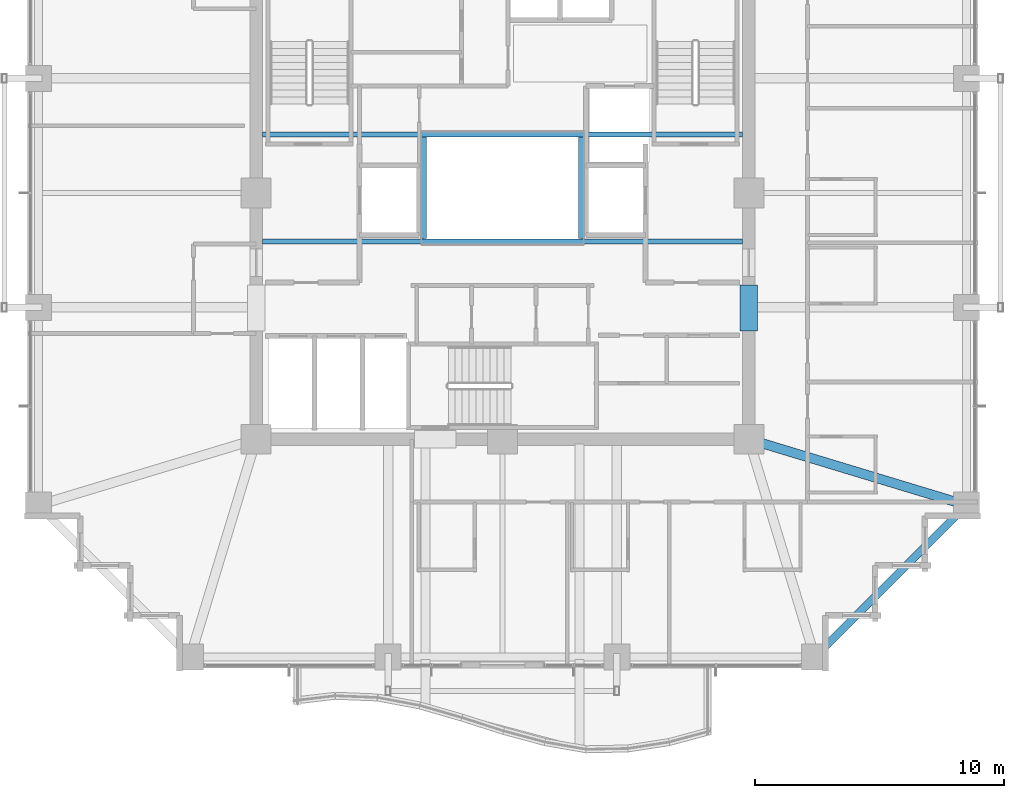
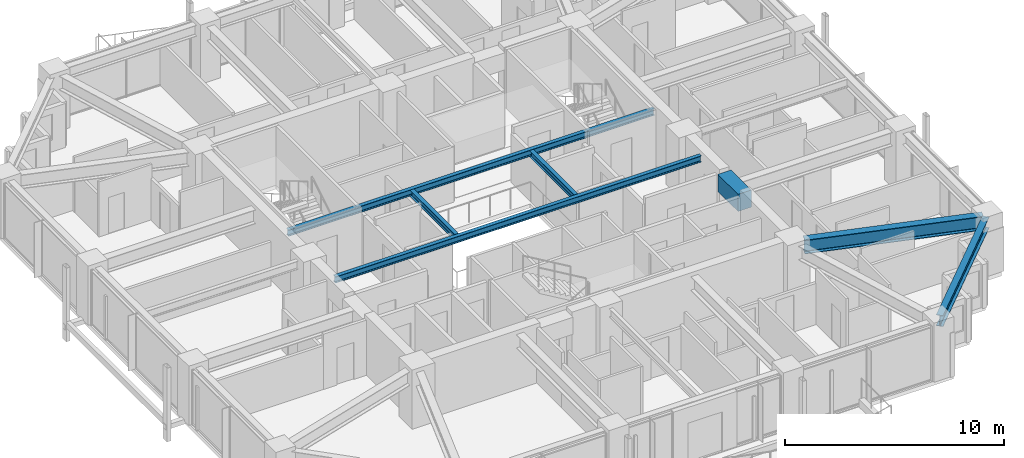
# One storey, part 12 of 34: 7 beams.
"""IFC4 building model written with IfcOpenShell, lengths in metres."""

from ifc_helpers import new_model, si_unit, direction, frame, origin, origin_2d, place, context, subcontext, project, spatial, rectangle, i_section, extrude, material, material_profile, profile_set, type_object, element, save


model = new_model("IFC4")

# Units and contexts
model_context = context("Model", 3, precision=1e-05, world=origin(), true_north=direction((0.0, 1.0)))
body_context = subcontext(model_context, "Body", "Model", "MODEL_VIEW")
ifc_project = project(units=[si_unit("LENGTHUNIT", "METRE"), si_unit("AREAUNIT", "SQUARE_METRE"), si_unit("VOLUMEUNIT", "CUBIC_METRE"), si_unit("PLANEANGLEUNIT", "RADIAN"), si_unit("MASSUNIT", "GRAM", prefix="KILO")], contexts=[model_context])

# Site, building, storey
site_placement = place(None, origin())
site = spatial("IfcSite", under=ifc_project, at=site_placement, CompositionType="ELEMENT")
building_placement = place(site_placement, origin())
building = spatial("IfcBuilding", under=site, at=building_placement, Name="Kolvaren Belvedere", CompositionType="ELEMENT")
storey_placement = place(building_placement, frame((0.0, 0.0, 111.800048828125)))
storey = spatial("IfcBuildingStorey", under=building, at=storey_placement, Name="L32", CompositionType="ELEMENT", Elevation=111.800048828125)

# Beams
ifc_material_1 = material(Name="Structural steel ASTM A992 Grade 50", Category="steel")
ifc_material_profile_1 = material_profile(ifc_material_1, i_section(OverallWidth=0.2041015625, OverallDepth=0.35009765625, WebThickness=0.008544921875, FlangeThickness=0.01513671875, FilletRadius=0.013916015625, at=origin_2d()), Name="W14X48")
ifc_profile_set_1 = profile_set([ifc_material_profile_1], Name="Structural steel ASTM A992 Grade 50")
beam_type_1 = type_object("IfcBeamType", Name="BM-ATRIUM-W14X48", PredefinedType="BEAM", material=ifc_profile_set_1)
for number, where, z_axis, x_axis, name in (
    (1, (-9.64990234375, -1.949951171875, 2.905029296875), (1.0, 0.0, 0.0), (0.0, 1.0, 0.0), "L32 Central Atrium South Girder AS"),
    (2, (-9.64990234375, 2.35009765625, 2.905029296875), (1.0, 0.0, 0.0), (0.0, 1.0, 0.0), "L32 Central Atrium North Girder AN"),
):
    element("IfcBeam", number, at=place(storey_placement, frame(where, z_axis=z_axis, x_axis=x_axis)), inside=storey, type_object=beam_type_1, Name=name, PredefinedType="BEAM", context=body_context, shape_type="SweptSolid", body=[
        extrude(i_section(OverallWidth=0.2041015625, OverallDepth=0.35009765625, WebThickness=0.008544921875, FlangeThickness=0.01513671875, FilletRadius=0.013916015625, at=origin_2d()), origin(), (0.0, 0.0, 1.0), 19.2998046875),
    ])
for number, where, z_axis, x_axis, name in (
    (3, (-3.14990234375, -1.840087890625, 2.905029296875), (0.0, 1.0, 0.0), (-1.0, 0.0, 0.0), "L32 Central Atrium West Edge Beam AW"),
    (4, (3.14990234375, -1.840087890625, 2.905029296875), (0.0, 1.0, 0.0), (-1.0, 0.0, 0.0), "L32 Central Atrium East Edge Beam AE"),
):
    element("IfcBeam", number, at=place(storey_placement, frame(where, z_axis=z_axis, x_axis=x_axis)), inside=storey, type_object=beam_type_1, Name=name, PredefinedType="BEAM", context=body_context, shape_type="SweptSolid", body=[
        extrude(i_section(OverallWidth=0.2041015625, OverallDepth=0.35009765625, WebThickness=0.008544921875, FlangeThickness=0.01513671875, FilletRadius=0.013916015625, at=origin_2d()), origin(), (0.0, 0.0, 1.0), 4.080078125),
    ])
ifc_material_2 = material(Name="Structural steel ASTM A992 Grade 50", Category="steel")
ifc_material_profile_2 = material_profile(ifc_material_2, i_section(OverallWidth=0.381103515625, OverallDepth=0.77294921875, WebThickness=0.0166015625, FlangeThickness=0.027099609375, FilletRadius=0.02392578125, at=origin_2d()), Name="W30X173")
ifc_profile_set_2 = profile_set([ifc_material_profile_2], Name="Structural steel ASTM A992 Grade 50")
beam_type_2 = type_object("IfcBeamType", Name="BM-GIRD-W30X173", PredefinedType="BEAM", material=ifc_profile_set_2)
beam_1_placement = place(storey_placement, frame((10.426513671875, -10.059326171875, 2.693359375), z_axis=(0.957069465398, -0.289858652454, 0.0), x_axis=(0.289858652454, 0.957069465398, 0.0)))
element("IfcBeam", 5, at=beam_1_placement, inside=storey, type_object=beam_type_2, Name="L32 Corner Core-to-Perimeter Girder CC2-E1", PredefinedType="BEAM", context=body_context, shape_type="SweptSolid", body=[
    extrude(i_section(OverallWidth=0.381103515625, OverallDepth=0.77294921875, WebThickness=0.0166015625, FlangeThickness=0.027099609375, FilletRadius=0.02392578125, at=origin_2d()), origin(), (0.0, 0.0, 1.0), 8.38232421875),
])
ifc_material_3 = material(Name="Concrete C60/75", Category="concrete")
ifc_material_profile_3 = material_profile(ifc_material_3, rectangle(XDim=0.699951171875, YDim=0.949951171875, at=origin_2d()), Name="RC 700X950")
ifc_profile_set_3 = profile_set([ifc_material_profile_3], Name="Concrete C60/75")
beam_type_3 = type_object("IfcBeamType", Name="BM-LINT-950", PredefinedType="LINTEL", material=ifc_profile_set_3)
beam_2_placement = place(storey_placement, frame((9.89990234375, -5.550048828125, 2.60498046875), z_axis=(0.0, 1.0, 0.0), x_axis=(-1.0, 0.0, 0.0)))
element("IfcBeam", 6, at=beam_2_placement, inside=storey, type_object=beam_type_3, Name="L32 East Core Coupling Lintel", PredefinedType="LINTEL", context=body_context, shape_type="SweptSolid", body=[
    extrude(rectangle(XDim=0.699951171875, YDim=0.949951171875, at=origin_2d()), origin(), (0.0, 0.0, 1.0), 1.85009765625),
])
ifc_material_4 = material(Name="Structural steel ASTM A992 Grade 50", Category="steel")
ifc_material_profile_4 = material_profile(ifc_material_4, i_section(OverallWidth=0.324951171875, OverallDepth=0.615966796875, WebThickness=0.013916015625, FlangeThickness=0.021484375, FilletRadius=0.02001953125, at=origin_2d()), Name="W24X117")
ifc_profile_set_4 = profile_set([ifc_material_profile_4], Name="Structural steel ASTM A992 Grade 50")
beam_type_4 = type_object("IfcBeamType", Name="BM-SPAN-W24X117", PredefinedType="SPANDREL", material=ifc_profile_set_4)
beam_3_placement = place(storey_placement, frame((12.717041015625, -18.48291015625, 2.77197265625), z_axis=(0.707106781187, 0.707106781187, 0.0), x_axis=(-0.707106781187, 0.707106781187, 0.0)))
element("IfcBeam", 7, at=beam_3_placement, inside=storey, type_object=beam_type_4, Name="L32 Perimeter Spandrel S4-E1", PredefinedType="SPANDREL", context=body_context, shape_type="SweptSolid", body=[
    extrude(i_section(OverallWidth=0.324951171875, OverallDepth=0.615966796875, WebThickness=0.013916015625, FlangeThickness=0.021484375, FilletRadius=0.02001953125, at=origin_2d()), origin(), (0.0, 0.0, 1.0), 8.154052734375),
])

save(model, "model.ifc")
